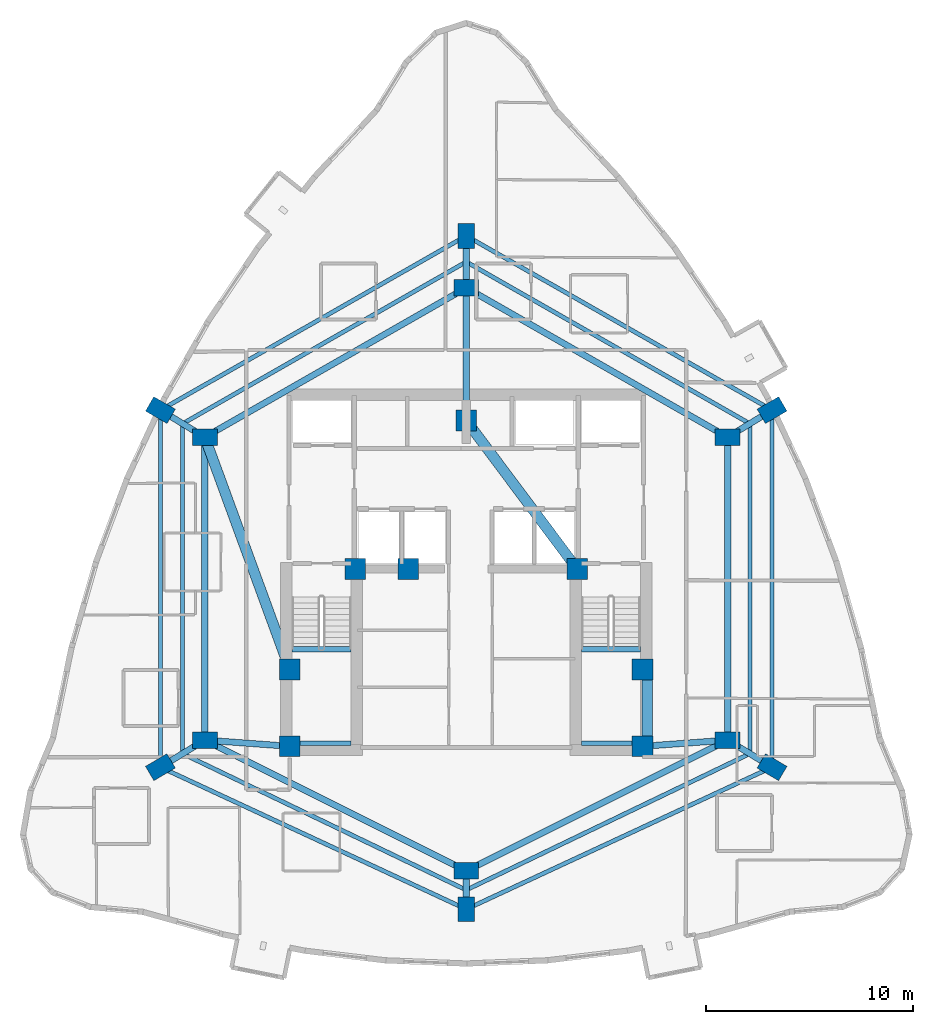
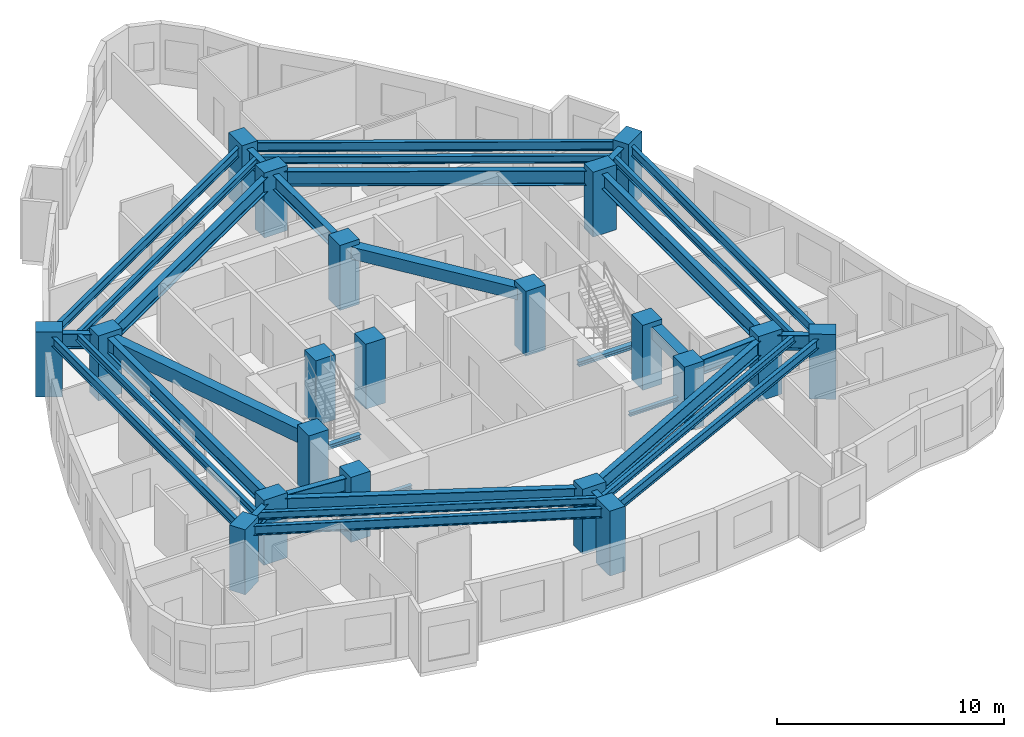
# One storey, part 1 of 11: 34 beams, 20 columns.
"""IFC4 building model written with IfcOpenShell, lengths in metres."""

from ifc_helpers import new_model, si_unit, direction, frame, origin, origin_2d, place, context, subcontext, project, spatial, rectangle, i_section, extrude, material, material_profile, profile_set, type_object, element, save


model = new_model("IFC4")

# Units and contexts
model_context = context("Model", 3, precision=1e-05, world=origin(), true_north=direction((0.0, 1.0)))
body_context = subcontext(model_context, "Body", "Model", "MODEL_VIEW")
ifc_project = project(units=[si_unit("LENGTHUNIT", "METRE"), si_unit("AREAUNIT", "SQUARE_METRE"), si_unit("VOLUMEUNIT", "CUBIC_METRE"), si_unit("PLANEANGLEUNIT", "RADIAN"), si_unit("MASSUNIT", "GRAM", prefix="KILO")], contexts=[model_context])

# Site, building, storey
site_placement = place(None, origin())
site = spatial("IfcSite", under=ifc_project, at=site_placement, CompositionType="ELEMENT")
building_placement = place(site_placement, origin())
building = spatial("IfcBuilding", under=site, at=building_placement, Name="Miruveldt Soraemaru", CompositionType="ELEMENT")
storey_placement = place(building_placement, frame((0.0, 0.0, 156.39990234375)))
storey = spatial("IfcBuildingStorey", under=building, at=storey_placement, Name="L43", CompositionType="ELEMENT", Elevation=156.39990234375)

# Columns
ifc_material_1 = material(Name="Concrete C60/75 (60 MPa)", Category="concrete")
ifc_material_profile_1 = material_profile(ifc_material_1, rectangle(XDim=1.0, YDim=1.0, at=origin_2d()), Name="Concrete C60/75 (60 MPa)", Category="concrete")
ifc_profile_set_1 = profile_set([ifc_material_profile_1], Name="Concrete C60/75 (60 MPa)")
column_type_1 = type_object("IfcColumnType", Name="COL-CORE-1000", PredefinedType="COLUMN", material=ifc_profile_set_1)
for number, where, z_axis, x_axis, name in (
    (1, (35.5, 35.5, 0.0), (0.0, 0.0, 1.0), (1.0, 0.0, 0.0), "L43 Structural Column CC1"),
    (2, (38.64990234375, 44.050048828125, 0.0), (0.0, 0.0, 1.0), (1.0, 0.0, 0.0), "L43 Structural Column CC2"),
    (3, (52.5, 35.5, 0.0), (0.0, 0.0, 1.0), (1.0, 0.0, 0.0), "L43 Structural Column CC3"),
    (4, (52.5, 39.199951171875, 0.0), (0.0, 0.0, 1.0), (1.0, 0.0, 0.0), "L43 Structural Column CC4"),
    (5, (49.35009765625, 44.050048828125, 0.0), (0.0, 0.0, 1.0), (1.0, 0.0, 0.0), "L43 Structural Column CC5"),
    (6, (44.0, 51.199951171875, 0.0), (0.0, 0.0, 1.0), (1.0, 0.0, 0.0), "L43 Structural Column CC6"),
    (7, (35.5, 39.199951171875, 0.0), (0.0, 0.0, 1.0), (1.0, 0.0, 0.0), "L43 Structural Column CC7"),
    (8, (41.199951171875, 44.050048828125, 0.0), (0.0, 0.0, 1.0), (1.0, 0.0, 0.0), "L43 Structural Column CC8"),
):
    element("IfcColumn", number, at=place(storey_placement, frame(where, z_axis=z_axis, x_axis=x_axis)), inside=storey, type_object=column_type_1, Name=name, PredefinedType="COLUMN", context=body_context, shape_type="SweptSolid", body=[
        extrude(rectangle(XDim=1.0, YDim=1.0, at=origin_2d()), origin(), (0.0, 0.0, 1.0), 3.5),
    ])
ifc_material_2 = material(Name="Concrete C70/85 (70 MPa)", Category="concrete")
ifc_material_profile_2 = material_profile(ifc_material_2, rectangle(XDim=1.199951171875, YDim=0.800048828125, at=origin_2d()), Name="Concrete C70/85 (70 MPa)", Category="concrete")
ifc_profile_set_2 = profile_set([ifc_material_profile_2], Name="Concrete C70/85 (70 MPa)")
column_type_2 = type_object("IfcColumnType", Name="COL-TW-Z2", PredefinedType="COLUMN", material=ifc_profile_set_2)
for number, where, z_axis, x_axis, name in (
    (9, (44.0, 57.60009765625, 0.0), (0.0, 0.0, 1.0), (1.0, 0.0, 0.0), "L43 Structural Column IR01"),
    (10, (56.60009765625, 50.39990234375, 0.0), (0.0, 0.0, 1.0), (1.0, 0.0, 0.0), "L43 Structural Column IR02"),
    (11, (56.60009765625, 35.800048828125, 0.0), (0.0, 0.0, 1.0), (1.0, 0.0, 0.0), "L43 Structural Column IR03"),
    (12, (44.0, 29.5, 0.0), (0.0, 0.0, 1.0), (1.0, 0.0, 0.0), "L43 Structural Column IR04"),
    (13, (31.39990234375, 35.800048828125, 0.0), (0.0, 0.0, 1.0), (1.0, 0.0, 0.0), "L43 Structural Column IR05"),
    (14, (31.39990234375, 50.39990234375, 0.0), (0.0, 0.0, 1.0), (1.0, 0.0, 0.0), "L43 Structural Column IR06"),
    (15, (44.0, 60.10595703125, 0.0), (0.0, 0.0, 1.0), (0.0, 1.0, 0.0), "L43 Structural Column Z2P01"),
    (16, (58.739990234375, 51.705078125, 0.0), (0.0, 0.0, 1.0), (0.866025403784, 0.5, 0.0), "L43 Structural Column Z2P02"),
    (17, (58.739990234375, 34.4951171875, 0.0), (0.0, 0.0, 1.0), (-0.860742027004, 0.50904141575, 0.0), "L43 Structural Column Z2P03"),
    (18, (44.0, 27.64697265625, 0.0), (0.0, 0.0, 1.0), (0.0, 1.0, 0.0), "L43 Structural Column Z2P04"),
    (19, (29.260009765625, 34.4951171875, 0.0), (0.0, 0.0, 1.0), (0.860742027004, 0.50904141575, 0.0), "L43 Structural Column Z2P05"),
    (20, (29.260009765625, 51.705078125, 0.0), (0.0, 0.0, 1.0), (-0.866025403784, 0.5, 0.0), "L43 Structural Column Z2P06"),
):
    element("IfcColumn", number, at=place(storey_placement, frame(where, z_axis=z_axis, x_axis=x_axis)), inside=storey, type_object=column_type_2, Name=name, PredefinedType="COLUMN", context=body_context, shape_type="SweptSolid", body=[
        extrude(rectangle(XDim=1.199951171875, YDim=0.800048828125, at=origin_2d()), origin(), (0.0, 0.0, 1.0), 3.5),
    ])

# Beams
ifc_material_3 = material(Name="Concrete C50/60 (50 MPa)", Category="concrete")
ifc_material_profile_3 = material_profile(ifc_material_3, rectangle(XDim=0.5, YDim=0.64990234375, at=origin_2d()), Name="Concrete C50/60 (50 MPa)", Category="concrete")
ifc_profile_set_3 = profile_set([ifc_material_profile_3], Name="Concrete C50/60 (50 MPa)")
beam_type_1 = type_object("IfcBeamType", Name="BM-RC-500x650", PredefinedType="BEAM", material=ifc_profile_set_3)
beam_1_placement = place(storey_placement, frame((52.72998046875, 35.5, 2.91015625), z_axis=(0.0, 1.0, 0.0), x_axis=(-1.0, 0.0, 0.0)))
element("IfcBeam", 21, at=beam_1_placement, inside=storey, type_object=beam_type_1, Name="L43 Core Tie Beam 3", PredefinedType="BEAM", context=body_context, shape_type="SweptSolid", body=[
    extrude(rectangle(XDim=0.5, YDim=0.64990234375, at=origin_2d()), origin(), (0.0, 0.0, 1.0), 3.699951171875),
])
beam_2_placement = place(storey_placement, frame((49.35009765625, 44.050048828125, 2.91015625), z_axis=(-0.599116023999, 0.800662219533, 0.0), x_axis=(-0.800662219533, -0.599116023999, 0.0)))
element("IfcBeam", 22, at=beam_2_placement, inside=storey, type_object=beam_type_1, Name="L43 Core Tie Beam 5", PredefinedType="BEAM", context=body_context, shape_type="SweptSolid", body=[
    extrude(rectangle(XDim=0.5, YDim=0.64990234375, at=origin_2d()), origin(), (0.0, 0.0, 1.0), 8.929931640625),
])
ifc_material_4 = material(Name="Concrete C40/50 (40 MPa)", Category="concrete")
ifc_material_profile_4 = material_profile(ifc_material_4, rectangle(XDim=0.5, YDim=0.75, at=origin_2d()), Name="Concrete C40/50 (40 MPa)", Category="concrete")
ifc_profile_set_4 = profile_set([ifc_material_profile_4], Name="Concrete C40/50 (40 MPa)")
beam_type_2 = type_object("IfcBeamType", Name="BM-RC-500x750", PredefinedType="LINTEL", material=ifc_profile_set_4)
beam_3_placement = place(storey_placement, frame((31.39990234375, 50.39990234375, 2.860107421875), z_axis=(0.343770424598, -0.939053723262, 0.0), x_axis=(0.939053723262, 0.343770424598, 0.0)))
element("IfcBeam", 23, at=beam_3_placement, inside=storey, type_object=beam_type_2, Name="L43 West Lobby Lintel", PredefinedType="LINTEL", context=body_context, shape_type="SweptSolid", body=[
    extrude(rectangle(XDim=0.5, YDim=0.75, at=origin_2d()), origin(), (0.0, 0.0, 1.0), 11.9267578125),
])
ifc_material_5 = material(Name="Steel SM355 (355 MPa)", Category="steel")
ifc_material_profile_5 = material_profile(ifc_material_5, i_section(OverallWidth=0.199951171875, OverallDepth=0.39990234375, WebThickness=0.008056640625, FlangeThickness=0.012939453125, FilletRadius=0.01611328125, at=origin_2d()), Name="Steel SM355 (355 MPa)", Category="steel")
ifc_profile_set_5 = profile_set([ifc_material_profile_5], Name="Steel SM355 (355 MPa)")
beam_type_3 = type_object("IfcBeamType", Name="BM-ST-H400", PredefinedType="JOIST", material=ifc_profile_set_5)
beam_4_placement = place(storey_placement, frame((44.0, 58.85302734375, 3.03515625), z_axis=(0.868539859756, -0.495619321672, 0.0), x_axis=(0.495619321672, 0.868539859756, 0.0)))
element("IfcBeam", 24, at=beam_4_placement, inside=storey, type_object=beam_type_3, Name="L43 Outer Bay Floor Joist 1", PredefinedType="JOIST", context=body_context, shape_type="SweptSolid", body=[
    extrude(i_section(OverallWidth=0.199951171875, OverallDepth=0.39990234375, WebThickness=0.008056640625, FlangeThickness=0.012939453125, FilletRadius=0.01611328125, at=origin_2d()), origin(), (0.0, 0.0, 1.0), 15.739013671875),
])
beam_5_placement = place(storey_placement, frame((57.669921875, 51.052490234375, 3.03515625), z_axis=(0.0, -1.0, 0.0), x_axis=(1.0, 0.0, 0.0)))
element("IfcBeam", 25, at=beam_5_placement, inside=storey, type_object=beam_type_3, Name="L43 Outer Bay Floor Joist 2", PredefinedType="JOIST", context=body_context, shape_type="SweptSolid", body=[
    extrude(i_section(OverallWidth=0.199951171875, OverallDepth=0.39990234375, WebThickness=0.008056640625, FlangeThickness=0.012939453125, FilletRadius=0.01611328125, at=origin_2d()), origin(), (0.0, 0.0, 1.0), 15.905029296875),
])
for number, where, z_axis, x_axis, name in (
    (26, (57.669921875, 35.1474609375, 3.03515625), (-0.901203586802, -0.433396002676, 0.0), (0.433396002676, -0.901203586802, 0.0), "L43 Outer Bay Floor Joist 3"),
    (27, (44.0, 28.573486328125, 3.03515625), (-0.901203586802, 0.433396002676, 0.0), (-0.433396002676, -0.901203586802, 0.0), "L43 Outer Bay Floor Joist 4"),
):
    element("IfcBeam", number, at=place(storey_placement, frame(where, z_axis=z_axis, x_axis=x_axis)), inside=storey, type_object=beam_type_3, Name=name, PredefinedType="JOIST", context=body_context, shape_type="SweptSolid", body=[
        extrude(i_section(OverallWidth=0.199951171875, OverallDepth=0.39990234375, WebThickness=0.008056640625, FlangeThickness=0.012939453125, FilletRadius=0.01611328125, at=origin_2d()), origin(), (0.0, 0.0, 1.0), 15.16845703125),
    ])
beam_6_placement = place(storey_placement, frame((30.330078125, 35.1474609375, 3.03515625), z_axis=(0.0, 1.0, 0.0), x_axis=(-1.0, 0.0, 0.0)))
element("IfcBeam", 28, at=beam_6_placement, inside=storey, type_object=beam_type_3, Name="L43 Outer Bay Floor Joist 5", PredefinedType="JOIST", context=body_context, shape_type="SweptSolid", body=[
    extrude(i_section(OverallWidth=0.199951171875, OverallDepth=0.39990234375, WebThickness=0.008056640625, FlangeThickness=0.012939453125, FilletRadius=0.01611328125, at=origin_2d()), origin(), (0.0, 0.0, 1.0), 15.905029296875),
])
beam_7_placement = place(storey_placement, frame((30.330078125, 51.052490234375, 3.03515625), z_axis=(0.868539859756, 0.495619321672, 0.0), x_axis=(-0.495619321672, 0.868539859756, 0.0)))
element("IfcBeam", 29, at=beam_7_placement, inside=storey, type_object=beam_type_3, Name="L43 Outer Bay Floor Joist 6", PredefinedType="JOIST", context=body_context, shape_type="SweptSolid", body=[
    extrude(i_section(OverallWidth=0.199951171875, OverallDepth=0.39990234375, WebThickness=0.008056640625, FlangeThickness=0.012939453125, FilletRadius=0.01611328125, at=origin_2d()), origin(), (0.0, 0.0, 1.0), 15.739013671875),
])
ifc_material_profile_6 = material_profile(ifc_material_5, i_section(OverallWidth=0.199951171875, OverallDepth=0.5, WebThickness=0.010009765625, FlangeThickness=0.01611328125, FilletRadius=0.02001953125, at=origin_2d()), Name="Steel SM355 (355 MPa)", Category="steel")
ifc_profile_set_6 = profile_set([ifc_material_profile_6], Name="Steel SM355 (355 MPa)")
beam_type_4 = type_object("IfcBeamType", Name="BM-ST-H500", PredefinedType="SPANDREL", material=ifc_profile_set_6)
beam_8_placement = place(storey_placement, frame((44.0, 60.10595703125, 2.985107421875), z_axis=(0.86880048516, -0.495162313778, 0.0), x_axis=(0.495162313778, 0.86880048516, 0.0)))
element("IfcBeam", 30, at=beam_8_placement, inside=storey, type_object=beam_type_4, Name="L43 Zone-2 Spandrel Beam 1", PredefinedType="SPANDREL", context=body_context, shape_type="SweptSolid", body=[
    extrude(i_section(OverallWidth=0.199951171875, OverallDepth=0.5, WebThickness=0.010009765625, FlangeThickness=0.01611328125, FilletRadius=0.02001953125, at=origin_2d()), origin(), (0.0, 0.0, 1.0), 16.9658203125),
])
beam_9_placement = place(storey_placement, frame((58.739990234375, 51.705078125, 2.985107421875), z_axis=(0.0, -1.0, 0.0), x_axis=(1.0, 0.0, 0.0)))
element("IfcBeam", 31, at=beam_9_placement, inside=storey, type_object=beam_type_4, Name="L43 Zone-2 Spandrel Beam 2", PredefinedType="SPANDREL", context=body_context, shape_type="SweptSolid", body=[
    extrude(i_section(OverallWidth=0.199951171875, OverallDepth=0.5, WebThickness=0.010009765625, FlangeThickness=0.01611328125, FilletRadius=0.02001953125, at=origin_2d()), origin(), (0.0, 0.0, 1.0), 17.2099609375),
])
for number, where, z_axis, x_axis, name in (
    (32, (58.739990234375, 34.4951171875, 2.985107421875), (-0.906901362829, -0.421342993414, 0.0), (0.421342993414, -0.906901362829, 0.0), "L43 Zone-2 Spandrel Beam 3"),
    (33, (44.0, 27.64697265625, 2.985107421875), (-0.906901362829, 0.421342993414, 0.0), (-0.421342993414, -0.906901362829, 0.0), "L43 Zone-2 Spandrel Beam 4"),
):
    element("IfcBeam", number, at=place(storey_placement, frame(where, z_axis=z_axis, x_axis=x_axis)), inside=storey, type_object=beam_type_4, Name=name, PredefinedType="SPANDREL", context=body_context, shape_type="SweptSolid", body=[
        extrude(i_section(OverallWidth=0.199951171875, OverallDepth=0.5, WebThickness=0.010009765625, FlangeThickness=0.01611328125, FilletRadius=0.02001953125, at=origin_2d()), origin(), (0.0, 0.0, 1.0), 16.253173828125),
    ])
beam_10_placement = place(storey_placement, frame((29.260009765625, 34.4951171875, 2.985107421875), z_axis=(0.0, 1.0, 0.0), x_axis=(-1.0, 0.0, 0.0)))
element("IfcBeam", 34, at=beam_10_placement, inside=storey, type_object=beam_type_4, Name="L43 Zone-2 Spandrel Beam 5", PredefinedType="SPANDREL", context=body_context, shape_type="SweptSolid", body=[
    extrude(i_section(OverallWidth=0.199951171875, OverallDepth=0.5, WebThickness=0.010009765625, FlangeThickness=0.01611328125, FilletRadius=0.02001953125, at=origin_2d()), origin(), (0.0, 0.0, 1.0), 17.2099609375),
])
beam_11_placement = place(storey_placement, frame((29.260009765625, 51.705078125, 2.985107421875), z_axis=(0.86880048516, 0.495162313778, 0.0), x_axis=(-0.495162313778, 0.86880048516, 0.0)))
element("IfcBeam", 35, at=beam_11_placement, inside=storey, type_object=beam_type_4, Name="L43 Zone-2 Spandrel Beam 6", PredefinedType="SPANDREL", context=body_context, shape_type="SweptSolid", body=[
    extrude(i_section(OverallWidth=0.199951171875, OverallDepth=0.5, WebThickness=0.010009765625, FlangeThickness=0.01611328125, FilletRadius=0.02001953125, at=origin_2d()), origin(), (0.0, 0.0, 1.0), 16.9658203125),
])
ifc_material_6 = material(Name="Steel S460 (460 MPa)", Category="steel")
ifc_material_profile_7 = material_profile(ifc_material_6, i_section(OverallWidth=0.300048828125, OverallDepth=0.800048828125, WebThickness=0.013916015625, FlangeThickness=0.02587890625, FilletRadius=0.028076171875, at=origin_2d()), Name="Steel S460 (460 MPa)", Category="steel")
ifc_profile_set_7 = profile_set([ifc_material_profile_7], Name="Steel S460 (460 MPa)")
beam_type_5 = type_object("IfcBeamType", Name="BM-ST-H800", PredefinedType="BEAM", material=ifc_profile_set_7)
beam_12_placement = place(storey_placement, frame((44.0, 57.60009765625, 2.835205078125), z_axis=(0.868239001029, -0.496146185203, 0.0), x_axis=(0.496146185203, 0.868239001029, 0.0)))
element("IfcBeam", 36, at=beam_12_placement, inside=storey, type_object=beam_type_5, Name="L43 Inner Ring Girder 1", PredefinedType="BEAM", context=body_context, shape_type="SweptSolid", body=[
    extrude(i_section(OverallWidth=0.300048828125, OverallDepth=0.800048828125, WebThickness=0.013916015625, FlangeThickness=0.02587890625, FilletRadius=0.028076171875, at=origin_2d()), origin(), (0.0, 0.0, 1.0), 14.51220703125),
])
beam_13_placement = place(storey_placement, frame((44.0, 51.199951171875, 2.835205078125), z_axis=(0.0, 1.0, 0.0), x_axis=(-1.0, 0.0, 0.0)))
element("IfcBeam", 37, at=beam_13_placement, inside=storey, type_object=beam_type_5, Name="L43 Core-to-Inner Radial Girder 1", PredefinedType="BEAM", context=body_context, shape_type="SweptSolid", body=[
    extrude(i_section(OverallWidth=0.300048828125, OverallDepth=0.800048828125, WebThickness=0.013916015625, FlangeThickness=0.02587890625, FilletRadius=0.028076171875, at=origin_2d()), origin(), (0.0, 0.0, 1.0), 6.400146484375),
])
beam_14_placement = place(storey_placement, frame((56.60009765625, 50.39990234375, 2.835205078125), z_axis=(0.0, -1.0, 0.0), x_axis=(1.0, 0.0, 0.0)))
element("IfcBeam", 38, at=beam_14_placement, inside=storey, type_object=beam_type_5, Name="L43 Inner Ring Girder 2", PredefinedType="BEAM", context=body_context, shape_type="SweptSolid", body=[
    extrude(i_section(OverallWidth=0.300048828125, OverallDepth=0.800048828125, WebThickness=0.013916015625, FlangeThickness=0.02587890625, FilletRadius=0.028076171875, at=origin_2d()), origin(), (0.0, 0.0, 1.0), 14.599853515625),
])
beam_15_placement = place(storey_placement, frame((56.60009765625, 35.800048828125, 2.835205078125), z_axis=(-0.894427191, -0.4472135955, 0.0), x_axis=(0.4472135955, -0.894427191, 0.0)))
element("IfcBeam", 39, at=beam_15_placement, inside=storey, type_object=beam_type_5, Name="L43 Inner Ring Girder 3", PredefinedType="BEAM", context=body_context, shape_type="SweptSolid", body=[
    extrude(i_section(OverallWidth=0.300048828125, OverallDepth=0.800048828125, WebThickness=0.013916015625, FlangeThickness=0.02587890625, FilletRadius=0.028076171875, at=origin_2d()), origin(), (0.0, 0.0, 1.0), 14.08740234375),
])
beam_16_placement = place(storey_placement, frame((52.5, 35.5, 2.835205078125), z_axis=(0.997332985605, 0.072985723431, 0.0), x_axis=(-0.072985723431, 0.997332985605, 0.0)))
element("IfcBeam", 40, at=beam_16_placement, inside=storey, type_object=beam_type_5, Name="L43 Core-to-Inner Radial Girder 3", PredefinedType="BEAM", context=body_context, shape_type="SweptSolid", body=[
    extrude(i_section(OverallWidth=0.300048828125, OverallDepth=0.800048828125, WebThickness=0.013916015625, FlangeThickness=0.02587890625, FilletRadius=0.028076171875, at=origin_2d()), origin(), (0.0, 0.0, 1.0), 4.111083984375),
])
beam_17_placement = place(storey_placement, frame((44.0, 29.5, 2.835205078125), z_axis=(-0.894427191, 0.4472135955, 0.0), x_axis=(-0.4472135955, -0.894427191, 0.0)))
element("IfcBeam", 41, at=beam_17_placement, inside=storey, type_object=beam_type_5, Name="L43 Inner Ring Girder 4", PredefinedType="BEAM", context=body_context, shape_type="SweptSolid", body=[
    extrude(i_section(OverallWidth=0.300048828125, OverallDepth=0.800048828125, WebThickness=0.013916015625, FlangeThickness=0.02587890625, FilletRadius=0.028076171875, at=origin_2d()), origin(), (0.0, 0.0, 1.0), 14.08740234375),
])
beam_18_placement = place(storey_placement, frame((31.39990234375, 35.800048828125, 2.835205078125), z_axis=(0.0, 1.0, 0.0), x_axis=(-1.0, 0.0, 0.0)))
element("IfcBeam", 42, at=beam_18_placement, inside=storey, type_object=beam_type_5, Name="L43 Inner Ring Girder 5", PredefinedType="BEAM", context=body_context, shape_type="SweptSolid", body=[
    extrude(i_section(OverallWidth=0.300048828125, OverallDepth=0.800048828125, WebThickness=0.013916015625, FlangeThickness=0.02587890625, FilletRadius=0.028076171875, at=origin_2d()), origin(), (0.0, 0.0, 1.0), 14.599853515625),
])
beam_19_placement = place(storey_placement, frame((35.5, 35.5, 2.835205078125), z_axis=(-0.997332985605, 0.072985723431, 0.0), x_axis=(-0.072985723431, -0.997332985605, 0.0)))
element("IfcBeam", 43, at=beam_19_placement, inside=storey, type_object=beam_type_5, Name="L43 Core-to-Inner Radial Girder 5", PredefinedType="BEAM", context=body_context, shape_type="SweptSolid", body=[
    extrude(i_section(OverallWidth=0.300048828125, OverallDepth=0.800048828125, WebThickness=0.013916015625, FlangeThickness=0.02587890625, FilletRadius=0.028076171875, at=origin_2d()), origin(), (0.0, 0.0, 1.0), 4.111083984375),
])
beam_20_placement = place(storey_placement, frame((31.39990234375, 50.39990234375, 2.835205078125), z_axis=(0.868239001029, 0.496146185203, 0.0), x_axis=(-0.496146185203, 0.868239001029, 0.0)))
element("IfcBeam", 44, at=beam_20_placement, inside=storey, type_object=beam_type_5, Name="L43 Inner Ring Girder 6", PredefinedType="BEAM", context=body_context, shape_type="SweptSolid", body=[
    extrude(i_section(OverallWidth=0.300048828125, OverallDepth=0.800048828125, WebThickness=0.013916015625, FlangeThickness=0.02587890625, FilletRadius=0.028076171875, at=origin_2d()), origin(), (0.0, 0.0, 1.0), 14.51220703125),
])
beam_21_placement = place(storey_placement, frame((44.0, 57.60009765625, 2.835205078125), z_axis=(0.0, 1.0, 0.0), x_axis=(-1.0, 0.0, 0.0)))
element("IfcBeam", 45, at=beam_21_placement, inside=storey, type_object=beam_type_5, Name="L43 Zone-2 Radial Girder 1", PredefinedType="BEAM", context=body_context, shape_type="SweptSolid", body=[
    extrude(i_section(OverallWidth=0.300048828125, OverallDepth=0.800048828125, WebThickness=0.013916015625, FlangeThickness=0.02587890625, FilletRadius=0.028076171875, at=origin_2d()), origin(), (0.0, 0.0, 1.0), 2.505859375),
])
beam_22_placement = place(storey_placement, frame((56.60009765625, 50.39990234375, 2.835205078125), z_axis=(0.85373175529, 0.520713059188, 0.0), x_axis=(-0.520713059188, 0.85373175529, 0.0)))
element("IfcBeam", 46, at=beam_22_placement, inside=storey, type_object=beam_type_5, Name="L43 Zone-2 Radial Girder 2", PredefinedType="BEAM", context=body_context, shape_type="SweptSolid", body=[
    extrude(i_section(OverallWidth=0.300048828125, OverallDepth=0.800048828125, WebThickness=0.013916015625, FlangeThickness=0.02587890625, FilletRadius=0.028076171875, at=origin_2d()), origin(), (0.0, 0.0, 1.0), 2.506591796875),
])
beam_23_placement = place(storey_placement, frame((56.60009765625, 35.800048828125, 2.835205078125), z_axis=(0.853775054686, -0.5206420613, 0.0), x_axis=(0.5206420613, 0.853775054686, 0.0)))
element("IfcBeam", 47, at=beam_23_placement, inside=storey, type_object=beam_type_5, Name="L43 Zone-2 Radial Girder 3", PredefinedType="BEAM", context=body_context, shape_type="SweptSolid", body=[
    extrude(i_section(OverallWidth=0.300048828125, OverallDepth=0.800048828125, WebThickness=0.013916015625, FlangeThickness=0.02587890625, FilletRadius=0.028076171875, at=origin_2d()), origin(), (0.0, 0.0, 1.0), 2.50634765625),
])
beam_24_placement = place(storey_placement, frame((44.0, 29.5, 2.835205078125), z_axis=(0.0, -1.0, 0.0), x_axis=(1.0, 0.0, 0.0)))
element("IfcBeam", 48, at=beam_24_placement, inside=storey, type_object=beam_type_5, Name="L43 Zone-2 Radial Girder 4", PredefinedType="BEAM", context=body_context, shape_type="SweptSolid", body=[
    extrude(i_section(OverallWidth=0.300048828125, OverallDepth=0.800048828125, WebThickness=0.013916015625, FlangeThickness=0.02587890625, FilletRadius=0.028076171875, at=origin_2d()), origin(), (0.0, 0.0, 1.0), 1.85302734375),
])
beam_25_placement = place(storey_placement, frame((31.39990234375, 35.800048828125, 2.835205078125), z_axis=(-0.853775054686, -0.5206420613, 0.0), x_axis=(0.5206420613, -0.853775054686, 0.0)))
element("IfcBeam", 49, at=beam_25_placement, inside=storey, type_object=beam_type_5, Name="L43 Zone-2 Radial Girder 5", PredefinedType="BEAM", context=body_context, shape_type="SweptSolid", body=[
    extrude(i_section(OverallWidth=0.300048828125, OverallDepth=0.800048828125, WebThickness=0.013916015625, FlangeThickness=0.02587890625, FilletRadius=0.028076171875, at=origin_2d()), origin(), (0.0, 0.0, 1.0), 2.50634765625),
])
beam_26_placement = place(storey_placement, frame((31.39990234375, 50.39990234375, 2.835205078125), z_axis=(-0.85373175529, 0.520713059188, 0.0), x_axis=(-0.520713059188, -0.85373175529, 0.0)))
element("IfcBeam", 50, at=beam_26_placement, inside=storey, type_object=beam_type_5, Name="L43 Zone-2 Radial Girder 6", PredefinedType="BEAM", context=body_context, shape_type="SweptSolid", body=[
    extrude(i_section(OverallWidth=0.300048828125, OverallDepth=0.800048828125, WebThickness=0.013916015625, FlangeThickness=0.02587890625, FilletRadius=0.028076171875, at=origin_2d()), origin(), (0.0, 0.0, 1.0), 2.506591796875),
])
ifc_material_profile_8 = material_profile(ifc_material_5, i_section(OverallWidth=0.199951171875, OverallDepth=0.199951171875, WebThickness=0.008056640625, FlangeThickness=0.011962890625, FilletRadius=0.012939453125, at=origin_2d()), Name="Steel SM355 (355 MPa)", Category="steel")
ifc_profile_set_8 = profile_set([ifc_material_profile_8], Name="Steel SM355 (355 MPa)")
beam_type_6 = type_object("IfcBeamType", Name="BM-ST-LND200", PredefinedType="BEAM", material=ifc_profile_set_8)
for number, where, z_axis, x_axis, name in (
    (51, (35.60009765625, 35.64990234375, 1.4501953125), (1.0, 0.0, 0.0), (0.0, 1.0, 0.0), "L43 ST1 Landing End Beam 1B"),
    (52, (49.550048828125, 35.64990234375, 1.4501953125), (1.0, 0.0, 0.0), (0.0, 1.0, 0.0), "L43 ST2 Landing End Beam 1B"),
):
    element("IfcBeam", number, at=place(storey_placement, frame(where, z_axis=z_axis, x_axis=x_axis)), inside=storey, type_object=beam_type_6, Name=name, PredefinedType="BEAM", context=body_context, shape_type="SweptSolid", body=[
        extrude(i_section(OverallWidth=0.199951171875, OverallDepth=0.199951171875, WebThickness=0.008056640625, FlangeThickness=0.011962890625, FilletRadius=0.012939453125, at=origin_2d()), origin(), (0.0, 0.0, 1.0), 2.849853515625),
    ])
ifc_material_profile_9 = material_profile(ifc_material_5, i_section(OverallWidth=0.25, OverallDepth=0.25, WebThickness=0.009033203125, FlangeThickness=0.013916015625, FilletRadius=0.01611328125, at=origin_2d()), Name="Steel SM355 (355 MPa)", Category="steel")
ifc_profile_set_9 = profile_set([ifc_material_profile_9], Name="Steel SM355 (355 MPa)")
beam_type_7 = type_object("IfcBeamType", Name="BM-ST-LND250", PredefinedType="BEAM", material=ifc_profile_set_9)
for number, where, z_axis, x_axis, name in (
    (53, (35.60009765625, 40.179931640625, 1.425048828125), (1.0, 0.0, 0.0), (0.0, 1.0, 0.0), "L43 ST1 Landing Support Beam 1A"),
    (54, (49.550048828125, 40.179931640625, 1.425048828125), (1.0, 0.0, 0.0), (0.0, 1.0, 0.0), "L43 ST2 Landing Support Beam 1A"),
):
    element("IfcBeam", number, at=place(storey_placement, frame(where, z_axis=z_axis, x_axis=x_axis)), inside=storey, type_object=beam_type_7, Name=name, PredefinedType="BEAM", context=body_context, shape_type="SweptSolid", body=[
        extrude(i_section(OverallWidth=0.25, OverallDepth=0.25, WebThickness=0.009033203125, FlangeThickness=0.013916015625, FilletRadius=0.01611328125, at=origin_2d()), origin(), (0.0, 0.0, 1.0), 2.849853515625),
    ])

save(model, "model.ifc")
